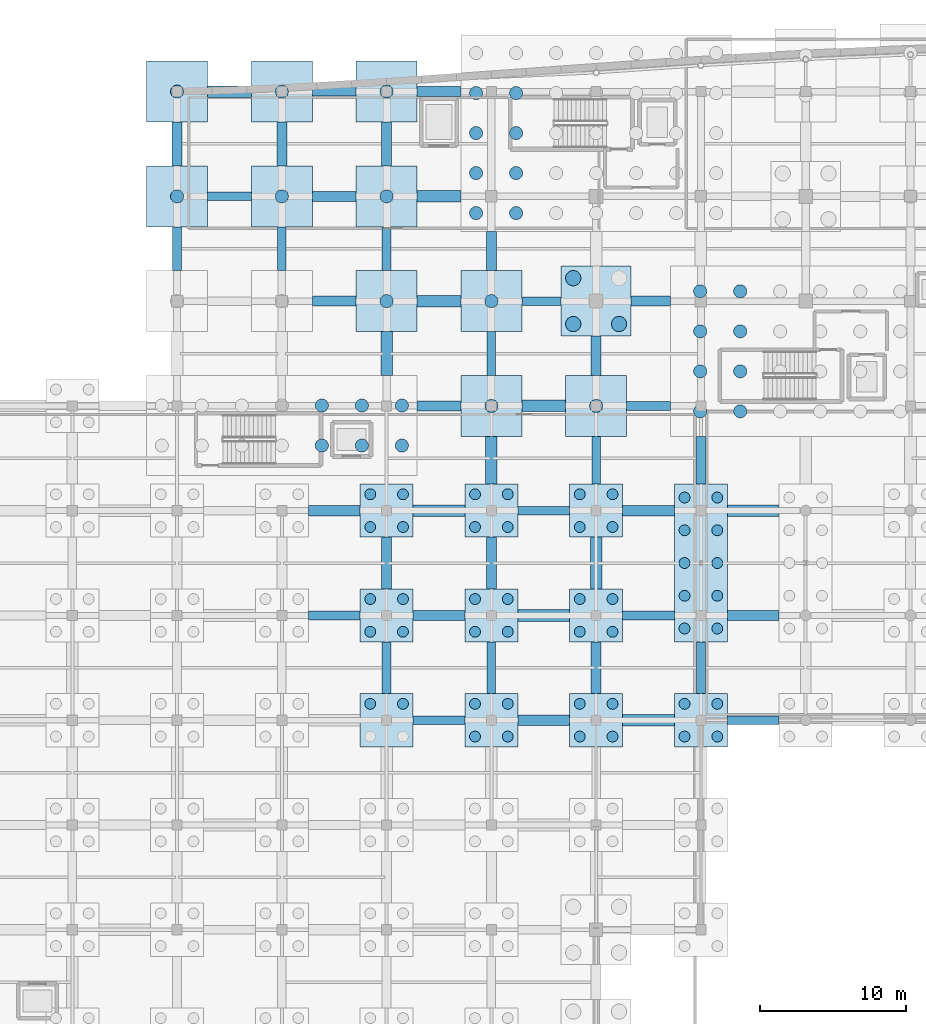
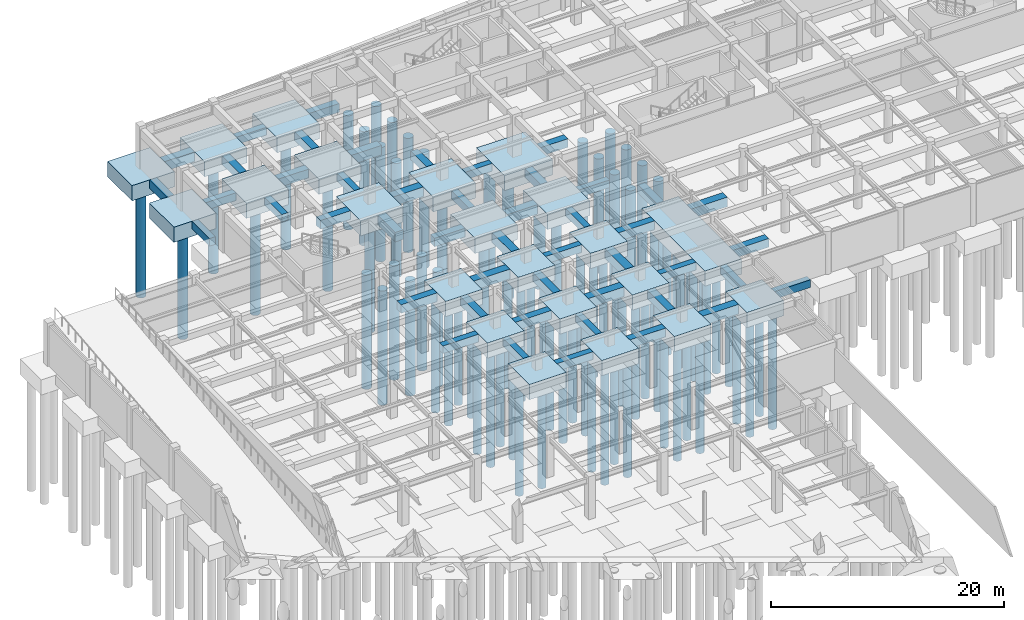
# One storey, part 5 of 48: 83 piles, 69 footings.
"""IFC4 building model written with IfcOpenShell, lengths in metres."""

from ifc_helpers import new_model, si_unit, direction, frame, origin, origin_2d, place, context, subcontext, project, spatial, rectangle, circle, extrude, material, material_profile, profile_set, type_object, element, save


model = new_model("IFC4")

# Units and contexts
model_context = context("Model", 3, precision=1e-05, world=origin(), true_north=direction((0.0, 1.0)))
body_context = subcontext(model_context, "Body", "Model", "MODEL_VIEW")
ifc_project = project(units=[si_unit("LENGTHUNIT", "METRE"), si_unit("AREAUNIT", "SQUARE_METRE"), si_unit("VOLUMEUNIT", "CUBIC_METRE"), si_unit("PLANEANGLEUNIT", "RADIAN"), si_unit("MASSUNIT", "GRAM", prefix="KILO")], contexts=[model_context])

# Site, building, storey
site_placement = place(None, origin())
site = spatial("IfcSite", under=ifc_project, at=site_placement, CompositionType="ELEMENT")
building_placement = place(site_placement, origin())
building = spatial("IfcBuilding", under=site, at=building_placement, Name="Carrowvane Square Congress Hotel", CompositionType="ELEMENT")
storey_placement = place(building_placement, frame((0.0, 0.0, -4.5)))
storey = spatial("IfcBuildingStorey", under=building, at=storey_placement, Name="B01", CompositionType="ELEMENT", Elevation=-4.5)

# Footings
ifc_material_1 = material(Name="Concrete C35/45", Category="concrete")
ifc_material_profile_1 = material_profile(ifc_material_1, rectangle(XDim=0.60009765625, YDim=0.800048828125, at=origin_2d()), Name="RC 600x800")
ifc_profile_set_1 = profile_set([ifc_material_profile_1], Name="Concrete C35/45")
footing_type_1 = type_object("IfcFootingType", Name="FTG-BM-600x800", PredefinedType="FOOTING_BEAM", material=ifc_profile_set_1)
for number, where, z_axis, x_axis, name in (
    (1, (33.199951171875, 101.10009765625, -0.39990234375), (0.0, 1.0, 0.0), (-1.0, 0.0, 0.0), "Ground tie beam 49"),
    (2, (40.39990234375, 101.10009765625, -0.39990234375), (0.0, 1.0, 0.0), (-1.0, 0.0, 0.0), "Ground tie beam 63"),
):
    element("IfcFooting", number, at=place(storey_placement, frame(where, z_axis=z_axis, x_axis=x_axis)), inside=storey, type_object=footing_type_1, Name=name, PredefinedType="FOOTING_BEAM", context=body_context, shape_type="SweptSolid", body=[
        extrude(rectangle(XDim=0.60009765625, YDim=0.800048828125, at=origin_2d()), origin(), (0.0, 0.0, 1.0), 3.0),
    ])
footing_1_placement = place(storey_placement, frame((47.60009765625, 72.02490234375, -0.39990234375), z_axis=(0.0, 1.0, 0.0), x_axis=(-1.0, 0.0, 0.0)))
element("IfcFooting", 3, at=footing_1_placement, inside=storey, type_object=footing_type_1, Name="Ground tie beam 74", PredefinedType="FOOTING_BEAM", context=body_context, shape_type="SweptSolid", body=[
    extrude(rectangle(XDim=0.60009765625, YDim=0.800048828125, at=origin_2d()), origin(), (0.0, 0.0, 1.0), 3.550048828125),
])
footing_2_placement = place(storey_placement, frame((47.60009765625, 101.10009765625, -0.39990234375), z_axis=(0.0, 1.0, 0.0), x_axis=(-1.0, 0.0, 0.0)))
element("IfcFooting", 4, at=footing_2_placement, inside=storey, type_object=footing_type_1, Name="Ground tie beam 77", PredefinedType="FOOTING_BEAM", context=body_context, shape_type="SweptSolid", body=[
    extrude(rectangle(XDim=0.60009765625, YDim=0.800048828125, at=origin_2d()), origin(), (0.0, 0.0, 1.0), 3.0),
])
footing_3_placement = place(storey_placement, frame((54.800048828125, 72.02490234375, -0.39990234375), z_axis=(0.0, 1.0, 0.0), x_axis=(-1.0, 0.0, 0.0)))
element("IfcFooting", 5, at=footing_3_placement, inside=storey, type_object=footing_type_1, Name="Ground tie beam 88", PredefinedType="FOOTING_BEAM", context=body_context, shape_type="SweptSolid", body=[
    extrude(rectangle(XDim=0.60009765625, YDim=0.800048828125, at=origin_2d()), origin(), (0.0, 0.0, 1.0), 3.550048828125),
])
footing_4_placement = place(storey_placement, frame((54.800048828125, 93.89990234375, -0.39990234375), z_axis=(0.0, 1.0, 0.0), x_axis=(-1.0, 0.0, 0.0)))
element("IfcFooting", 6, at=footing_4_placement, inside=storey, type_object=footing_type_1, Name="Ground tie beam 91", PredefinedType="FOOTING_BEAM", context=body_context, shape_type="SweptSolid", body=[
    extrude(rectangle(XDim=0.60009765625, YDim=0.800048828125, at=origin_2d()), origin(), (0.0, 0.0, 1.0), 3.0),
])
footing_5_placement = place(storey_placement, frame((62.0, 86.425048828125, -0.39990234375), z_axis=(0.0, 1.0, 0.0), x_axis=(-1.0, 0.0, 0.0)))
element("IfcFooting", 7, at=footing_5_placement, inside=storey, type_object=footing_type_1, Name="Ground tie beam 99", PredefinedType="FOOTING_BEAM", context=body_context, shape_type="SweptSolid", body=[
    extrude(rectangle(XDim=0.60009765625, YDim=0.800048828125, at=origin_2d()), origin(), (0.0, 0.0, 1.0), 3.27490234375),
])
for number, where, z_axis, x_axis, name in (
    (8, (69.199951171875, 72.02490234375, -0.39990234375), (0.0, 1.0, 0.0), (-1.0, 0.0, 0.0), "Ground tie beam 104"),
    (9, (49.425048828125, 70.199951171875, -0.39990234375), (1.0, 0.0, 0.0), (0.0, 1.0, 0.0), "Ground tie beam 373"),
    (10, (71.02490234375, 70.199951171875, -0.39990234375), (1.0, 0.0, 0.0), (0.0, 1.0, 0.0), "Ground tie beam 376"),
):
    element("IfcFooting", number, at=place(storey_placement, frame(where, z_axis=z_axis, x_axis=x_axis)), inside=storey, type_object=footing_type_1, Name=name, PredefinedType="FOOTING_BEAM", context=body_context, shape_type="SweptSolid", body=[
        extrude(rectangle(XDim=0.60009765625, YDim=0.800048828125, at=origin_2d()), origin(), (0.0, 0.0, 1.0), 3.550048828125),
    ])
footing_6_placement = place(storey_placement, frame((42.22509765625, 77.39990234375, -0.39990234375), z_axis=(1.0, 0.0, 0.0), x_axis=(0.0, 1.0, 0.0)))
element("IfcFooting", 11, at=footing_6_placement, inside=storey, type_object=footing_type_1, Name="Ground tie beam 396", PredefinedType="FOOTING_BEAM", context=body_context, shape_type="SweptSolid", body=[
    extrude(rectangle(XDim=0.60009765625, YDim=0.800048828125, at=origin_2d()), origin(), (0.0, 0.0, 1.0), 3.5498046875),
])
for number, where, z_axis, x_axis, name in (
    (12, (63.824951171875, 77.39990234375, -0.39990234375), (1.0, 0.0, 0.0), (0.0, 1.0, 0.0), "Ground tie beam 399"),
    (13, (56.625, 84.60009765625, -0.39990234375), (1.0, 0.0, 0.0), (0.0, 1.0, 0.0), "Ground tie beam 422"),
):
    element("IfcFooting", number, at=place(storey_placement, frame(where, z_axis=z_axis, x_axis=x_axis)), inside=storey, type_object=footing_type_1, Name=name, PredefinedType="FOOTING_BEAM", context=body_context, shape_type="SweptSolid", body=[
        extrude(rectangle(XDim=0.60009765625, YDim=0.800048828125, at=origin_2d()), origin(), (0.0, 0.0, 1.0), 3.550048828125),
    ])
footing_7_placement = place(storey_placement, frame((64.10009765625, 91.800048828125, -0.39990234375), z_axis=(1.0, 0.0, 0.0), x_axis=(0.0, 1.0, 0.0)))
element("IfcFooting", 14, at=footing_7_placement, inside=storey, type_object=footing_type_1, Name="Ground tie beam 445", PredefinedType="FOOTING_BEAM", context=body_context, shape_type="SweptSolid", body=[
    extrude(rectangle(XDim=0.60009765625, YDim=0.800048828125, at=origin_2d()), origin(), (0.0, 0.0, 1.0), 3.0),
])
footing_8_placement = place(storey_placement, frame((56.89990234375, 99.0, -0.39990234375), z_axis=(1.0, 0.0, 0.0), x_axis=(0.0, 1.0, 0.0)))
element("IfcFooting", 15, at=footing_8_placement, inside=storey, type_object=footing_type_1, Name="Ground tie beam 456", PredefinedType="FOOTING_BEAM", context=body_context, shape_type="SweptSolid", body=[
    extrude(rectangle(XDim=0.60009765625, YDim=0.800048828125, at=origin_2d()), origin(), (0.0, 0.0, 1.0), 2.7001953125),
])
for number, where, z_axis, x_axis, name in (
    (16, (35.300048828125, 106.199951171875, -0.39990234375), (1.0, 0.0, 0.0), (0.0, 1.0, 0.0), "Ground tie beam 464"),
    (17, (42.5, 113.39990234375, -0.39990234375), (1.0, 0.0, 0.0), (0.0, 1.0, 0.0), "Ground tie beam 481"),
):
    element("IfcFooting", number, at=place(storey_placement, frame(where, z_axis=z_axis, x_axis=x_axis)), inside=storey, type_object=footing_type_1, Name=name, PredefinedType="FOOTING_BEAM", context=body_context, shape_type="SweptSolid", body=[
        extrude(rectangle(XDim=0.60009765625, YDim=0.800048828125, at=origin_2d()), origin(), (0.0, 0.0, 1.0), 3.0),
    ])
ifc_material_2 = material(Name="Concrete C35/45", Category="concrete")
ifc_material_profile_2 = material_profile(ifc_material_2, rectangle(XDim=0.699951171875, YDim=0.89990234375, at=origin_2d()), Name="RC 700x900")
ifc_profile_set_2 = profile_set([ifc_material_profile_2], Name="Concrete C35/45")
footing_type_2 = type_object("IfcFootingType", Name="FTG-BM-700x900", PredefinedType="FOOTING_BEAM", material=ifc_profile_set_2)
for number, where, z_axis, x_axis, name in (
    (18, (33.199951171875, 108.300048828125, -0.449951171875), (0.0, 1.0, 0.0), (-1.0, 0.0, 0.0), "Ground tie beam 50"),
    (19, (40.39990234375, 108.300048828125, -0.449951171875), (0.0, 1.0, 0.0), (-1.0, 0.0, 0.0), "Ground tie beam 64"),
):
    element("IfcFooting", number, at=place(storey_placement, frame(where, z_axis=z_axis, x_axis=x_axis)), inside=storey, type_object=footing_type_2, Name=name, PredefinedType="FOOTING_BEAM", context=body_context, shape_type="SweptSolid", body=[
        extrude(rectangle(XDim=0.699951171875, YDim=0.89990234375, at=origin_2d()), origin(), (0.0, 0.0, 1.0), 3.0),
    ])
footing_9_placement = place(storey_placement, frame((47.60009765625, 79.22509765625, -0.449951171875), z_axis=(0.0, 1.0, 0.0), x_axis=(-1.0, 0.0, 0.0)))
element("IfcFooting", 20, at=footing_9_placement, inside=storey, type_object=footing_type_2, Name="Ground tie beam 75", PredefinedType="FOOTING_BEAM", context=body_context, shape_type="SweptSolid", body=[
    extrude(rectangle(XDim=0.699951171875, YDim=0.89990234375, at=origin_2d()), origin(), (0.0, 0.0, 1.0), 3.5498046875),
])
footing_10_placement = place(storey_placement, frame((47.60009765625, 108.300048828125, -0.449951171875), z_axis=(0.0, 1.0, 0.0), x_axis=(-1.0, 0.0, 0.0)))
element("IfcFooting", 21, at=footing_10_placement, inside=storey, type_object=footing_type_2, Name="Ground tie beam 78", PredefinedType="FOOTING_BEAM", context=body_context, shape_type="SweptSolid", body=[
    extrude(rectangle(XDim=0.699951171875, YDim=0.89990234375, at=origin_2d()), origin(), (0.0, 0.0, 1.0), 3.0),
])
footing_11_placement = place(storey_placement, frame((54.800048828125, 79.22509765625, -0.449951171875), z_axis=(0.0, 1.0, 0.0), x_axis=(-1.0, 0.0, 0.0)))
element("IfcFooting", 22, at=footing_11_placement, inside=storey, type_object=footing_type_2, Name="Ground tie beam 89", PredefinedType="FOOTING_BEAM", context=body_context, shape_type="SweptSolid", body=[
    extrude(rectangle(XDim=0.699951171875, YDim=0.89990234375, at=origin_2d()), origin(), (0.0, 0.0, 1.0), 3.5498046875),
])
footing_12_placement = place(storey_placement, frame((54.800048828125, 101.10009765625, -0.449951171875), z_axis=(0.0, 1.0, 0.0), x_axis=(-1.0, 0.0, 0.0)))
element("IfcFooting", 23, at=footing_12_placement, inside=storey, type_object=footing_type_2, Name="Ground tie beam 92", PredefinedType="FOOTING_BEAM", context=body_context, shape_type="SweptSolid", body=[
    extrude(rectangle(XDim=0.699951171875, YDim=0.89990234375, at=origin_2d()), origin(), (0.0, 0.0, 1.0), 2.699951171875),
])
footing_13_placement = place(storey_placement, frame((62.0, 72.02490234375, -0.449951171875), z_axis=(0.0, 1.0, 0.0), x_axis=(-1.0, 0.0, 0.0)))
element("IfcFooting", 24, at=footing_13_placement, inside=storey, type_object=footing_type_2, Name="Ground tie beam 97", PredefinedType="FOOTING_BEAM", context=body_context, shape_type="SweptSolid", body=[
    extrude(rectangle(XDim=0.699951171875, YDim=0.89990234375, at=origin_2d()), origin(), (0.0, 0.0, 1.0), 3.550048828125),
])
footing_14_placement = place(storey_placement, frame((62.0, 93.89990234375, -0.449951171875), z_axis=(0.0, 1.0, 0.0), x_axis=(-1.0, 0.0, 0.0)))
element("IfcFooting", 25, at=footing_14_placement, inside=storey, type_object=footing_type_2, Name="Ground tie beam 100", PredefinedType="FOOTING_BEAM", context=body_context, shape_type="SweptSolid", body=[
    extrude(rectangle(XDim=0.699951171875, YDim=0.89990234375, at=origin_2d()), origin(), (0.0, 0.0, 1.0), 2.7001953125),
])
footing_15_placement = place(storey_placement, frame((69.199951171875, 86.425048828125, -0.449951171875), z_axis=(0.0, 1.0, 0.0), x_axis=(-1.0, 0.0, 0.0)))
element("IfcFooting", 26, at=footing_15_placement, inside=storey, type_object=footing_type_2, Name="Ground tie beam 105", PredefinedType="FOOTING_BEAM", context=body_context, shape_type="SweptSolid", body=[
    extrude(rectangle(XDim=0.699951171875, YDim=0.89990234375, at=origin_2d()), origin(), (0.0, 0.0, 1.0), 3.27490234375),
])
for number, where, z_axis, x_axis, name in (
    (27, (56.625, 70.199951171875, -0.449951171875), (1.0, 0.0, 0.0), (0.0, 1.0, 0.0), "Ground tie beam 374"),
    (28, (49.425048828125, 77.39990234375, -0.449951171875), (1.0, 0.0, 0.0), (0.0, 1.0, 0.0), "Ground tie beam 397"),
    (29, (71.02490234375, 77.39990234375, -0.449951171875), (1.0, 0.0, 0.0), (0.0, 1.0, 0.0), "Ground tie beam 400"),
):
    element("IfcFooting", number, at=place(storey_placement, frame(where, z_axis=z_axis, x_axis=x_axis)), inside=storey, type_object=footing_type_2, Name=name, PredefinedType="FOOTING_BEAM", context=body_context, shape_type="SweptSolid", body=[
        extrude(rectangle(XDim=0.699951171875, YDim=0.89990234375, at=origin_2d()), origin(), (0.0, 0.0, 1.0), 3.550048828125),
    ])
footing_16_placement = place(storey_placement, frame((42.22509765625, 84.60009765625, -0.449951171875), z_axis=(1.0, 0.0, 0.0), x_axis=(0.0, 1.0, 0.0)))
element("IfcFooting", 30, at=footing_16_placement, inside=storey, type_object=footing_type_2, Name="Ground tie beam 420", PredefinedType="FOOTING_BEAM", context=body_context, shape_type="SweptSolid", body=[
    extrude(rectangle(XDim=0.699951171875, YDim=0.89990234375, at=origin_2d()), origin(), (0.0, 0.0, 1.0), 3.5498046875),
])
footing_17_placement = place(storey_placement, frame((63.824951171875, 84.60009765625, -0.449951171875), z_axis=(1.0, 0.0, 0.0), x_axis=(0.0, 1.0, 0.0)))
element("IfcFooting", 31, at=footing_17_placement, inside=storey, type_object=footing_type_2, Name="Ground tie beam 423", PredefinedType="FOOTING_BEAM", context=body_context, shape_type="SweptSolid", body=[
    extrude(rectangle(XDim=0.699951171875, YDim=0.89990234375, at=origin_2d()), origin(), (0.0, 0.0, 1.0), 3.550048828125),
])
for number, where, z_axis, x_axis, name in (
    (32, (49.699951171875, 91.800048828125, -0.449951171875), (1.0, 0.0, 0.0), (0.0, 1.0, 0.0), "Ground tie beam 443"),
    (33, (42.5, 99.0, -0.449951171875), (1.0, 0.0, 0.0), (0.0, 1.0, 0.0), "Ground tie beam 454"),
):
    element("IfcFooting", number, at=place(storey_placement, frame(where, z_axis=z_axis, x_axis=x_axis)), inside=storey, type_object=footing_type_2, Name=name, PredefinedType="FOOTING_BEAM", context=body_context, shape_type="SweptSolid", body=[
        extrude(rectangle(XDim=0.699951171875, YDim=0.89990234375, at=origin_2d()), origin(), (0.0, 0.0, 1.0), 3.0),
    ])
footing_18_placement = place(storey_placement, frame((64.39990234375, 99.0, -0.449951171875), z_axis=(1.0, 0.0, 0.0), x_axis=(0.0, 1.0, 0.0)))
element("IfcFooting", 34, at=footing_18_placement, inside=storey, type_object=footing_type_2, Name="Ground tie beam 457", PredefinedType="FOOTING_BEAM", context=body_context, shape_type="SweptSolid", body=[
    extrude(rectangle(XDim=0.699951171875, YDim=0.89990234375, at=origin_2d()), origin(), (0.0, 0.0, 1.0), 2.7001953125),
])
for number, where, z_axis, x_axis, name in (
    (35, (42.5, 106.199951171875, -0.449951171875), (1.0, 0.0, 0.0), (0.0, 1.0, 0.0), "Ground tie beam 465"),
    (36, (49.699951171875, 113.39990234375, -0.449951171875), (1.0, 0.0, 0.0), (0.0, 1.0, 0.0), "Ground tie beam 482"),
):
    element("IfcFooting", number, at=place(storey_placement, frame(where, z_axis=z_axis, x_axis=x_axis)), inside=storey, type_object=footing_type_2, Name=name, PredefinedType="FOOTING_BEAM", context=body_context, shape_type="SweptSolid", body=[
        extrude(rectangle(XDim=0.699951171875, YDim=0.89990234375, at=origin_2d()), origin(), (0.0, 0.0, 1.0), 3.0),
    ])
ifc_material_3 = material(Name="Concrete C35/45", Category="concrete")
ifc_material_profile_3 = material_profile(ifc_material_3, rectangle(XDim=0.800048828125, YDim=1.0, at=origin_2d()), Name="RC 800x1000")
ifc_profile_set_3 = profile_set([ifc_material_profile_3], Name="Concrete C35/45")
footing_type_3 = type_object("IfcFootingType", Name="FTG-BM-800x1000", PredefinedType="FOOTING_BEAM", material=ifc_profile_set_3)
footing_19_placement = place(storey_placement, frame((47.60009765625, 93.89990234375, -0.5), z_axis=(0.0, 1.0, 0.0), x_axis=(-1.0, 0.0, 0.0)))
element("IfcFooting", 37, at=footing_19_placement, inside=storey, type_object=footing_type_3, Name="Ground tie beam 76", PredefinedType="FOOTING_BEAM", context=body_context, shape_type="SweptSolid", body=[
    extrude(rectangle(XDim=0.800048828125, YDim=1.0, at=origin_2d()), origin(), (0.0, 0.0, 1.0), 3.0),
])
footing_20_placement = place(storey_placement, frame((54.800048828125, 86.425048828125, -0.5), z_axis=(0.0, 1.0, 0.0), x_axis=(-1.0, 0.0, 0.0)))
element("IfcFooting", 38, at=footing_20_placement, inside=storey, type_object=footing_type_3, Name="Ground tie beam 90", PredefinedType="FOOTING_BEAM", context=body_context, shape_type="SweptSolid", body=[
    extrude(rectangle(XDim=0.800048828125, YDim=1.0, at=origin_2d()), origin(), (0.0, 0.0, 1.0), 3.27490234375),
])
footing_21_placement = place(storey_placement, frame((62.0, 79.22509765625, -0.5), z_axis=(0.0, 1.0, 0.0), x_axis=(-1.0, 0.0, 0.0)))
element("IfcFooting", 39, at=footing_21_placement, inside=storey, type_object=footing_type_3, Name="Ground tie beam 98", PredefinedType="FOOTING_BEAM", context=body_context, shape_type="SweptSolid", body=[
    extrude(rectangle(XDim=0.800048828125, YDim=1.0, at=origin_2d()), origin(), (0.0, 0.0, 1.0), 3.5498046875),
])
for number, where, z_axis, x_axis, name in (
    (40, (63.824951171875, 70.199951171875, -0.5), (1.0, 0.0, 0.0), (0.0, 1.0, 0.0), "Ground tie beam 375"),
    (41, (56.625, 77.39990234375, -0.5), (1.0, 0.0, 0.0), (0.0, 1.0, 0.0), "Ground tie beam 398"),
    (42, (49.425048828125, 84.60009765625, -0.5), (1.0, 0.0, 0.0), (0.0, 1.0, 0.0), "Ground tie beam 421"),
    (43, (71.02490234375, 84.60009765625, -0.5), (1.0, 0.0, 0.0), (0.0, 1.0, 0.0), "Ground tie beam 424"),
):
    element("IfcFooting", number, at=place(storey_placement, frame(where, z_axis=z_axis, x_axis=x_axis)), inside=storey, type_object=footing_type_3, Name=name, PredefinedType="FOOTING_BEAM", context=body_context, shape_type="SweptSolid", body=[
        extrude(rectangle(XDim=0.800048828125, YDim=1.0, at=origin_2d()), origin(), (0.0, 0.0, 1.0), 3.550048828125),
    ])
for number, where, z_axis, x_axis, name in (
    (44, (56.89990234375, 91.800048828125, -0.5), (1.0, 0.0, 0.0), (0.0, 1.0, 0.0), "Ground tie beam 444"),
    (45, (49.699951171875, 99.0, -0.5), (1.0, 0.0, 0.0), (0.0, 1.0, 0.0), "Ground tie beam 455"),
    (46, (49.699951171875, 106.199951171875, -0.5), (1.0, 0.0, 0.0), (0.0, 1.0, 0.0), "Ground tie beam 466"),
    (47, (35.300048828125, 113.39990234375, -0.5), (1.0, 0.0, 0.0), (0.0, 1.0, 0.0), "Ground tie beam 480"),
):
    element("IfcFooting", number, at=place(storey_placement, frame(where, z_axis=z_axis, x_axis=x_axis)), inside=storey, type_object=footing_type_3, Name=name, PredefinedType="FOOTING_BEAM", context=body_context, shape_type="SweptSolid", body=[
        extrude(rectangle(XDim=0.800048828125, YDim=1.0, at=origin_2d()), origin(), (0.0, 0.0, 1.0), 3.0),
    ])
ifc_material_4 = material(Name="Concrete C35/45", Category="concrete")
footing_type_4 = type_object("IfcFootingType", Name="FTG-PC-01", PredefinedType="PILE_CAP", material=ifc_material_4)
footing_22_placement = place(storey_placement, frame((62.0, 99.0, -1.60009765625), z_axis=(0.0, 0.0, 1.0), x_axis=(1.0, 0.0, 0.0)))
element("IfcFooting", 48, at=footing_22_placement, inside=storey, type_object=footing_type_4, Name="B01 PC-1 230", PredefinedType="PILE_CAP", context=body_context, shape_type="SweptSolid", body=[
    extrude(rectangle(XDim=4.800048828125, YDim=4.800048828125, at=origin_2d()), origin(), (0.0, 0.0, 1.0), 1.60009765625),
])
ifc_material_5 = material(Name="Concrete C35/45", Category="concrete")
footing_type_5 = type_object("IfcFootingType", Name="FTG-PC-02", PredefinedType="PILE_CAP", material=ifc_material_5)
for number, where, z_axis, x_axis, name in (
    (49, (47.60009765625, 70.199951171875, -1.60009765625), (0.0, 0.0, 1.0), (1.0, 0.0, 0.0), "B01 PC-2 149"),
    (50, (54.800048828125, 70.199951171875, -1.60009765625), (0.0, 0.0, 1.0), (1.0, 0.0, 0.0), "B01 PC-2 150"),
    (51, (62.0, 70.199951171875, -1.60009765625), (0.0, 0.0, 1.0), (1.0, 0.0, 0.0), "B01 PC-2 151"),
    (52, (69.199951171875, 70.199951171875, -1.60009765625), (0.0, 0.0, 1.0), (1.0, 0.0, 0.0), "B01 PC-2 152"),
    (53, (47.60009765625, 77.39990234375, -1.60009765625), (0.0, 0.0, 1.0), (1.0, 0.0, 0.0), "B01 PC-2 174"),
    (54, (54.800048828125, 77.39990234375, -1.60009765625), (0.0, 0.0, 1.0), (1.0, 0.0, 0.0), "B01 PC-2 175"),
    (55, (62.0, 77.39990234375, -1.60009765625), (0.0, 0.0, 1.0), (1.0, 0.0, 0.0), "B01 PC-2 176"),
    (56, (47.60009765625, 84.60009765625, -1.60009765625), (0.0, 0.0, 1.0), (1.0, 0.0, 0.0), "B01 PC-2 199"),
    (57, (54.800048828125, 84.60009765625, -1.60009765625), (0.0, 0.0, 1.0), (1.0, 0.0, 0.0), "B01 PC-2 200"),
    (58, (62.0, 84.60009765625, -1.60009765625), (0.0, 0.0, 1.0), (1.0, 0.0, 0.0), "B01 PC-2 201"),
):
    element("IfcFooting", number, at=place(storey_placement, frame(where, z_axis=z_axis, x_axis=x_axis)), inside=storey, type_object=footing_type_5, Name=name, PredefinedType="PILE_CAP", context=body_context, shape_type="SweptSolid", body=[
        extrude(rectangle(XDim=3.64990234375, YDim=3.64990234375, at=origin_2d()), origin(), (0.0, 0.0, 1.0), 1.60009765625),
    ])
ifc_material_6 = material(Name="Concrete C35/45", Category="concrete")
footing_type_6 = type_object("IfcFootingType", Name="FTG-PC-03", PredefinedType="PILE_CAP", material=ifc_material_6)
footing_23_placement = place(storey_placement, frame((69.199951171875, 81.0, -1.60009765625), z_axis=(0.0, 0.0, 1.0), x_axis=(1.0, 0.0, 0.0)))
element("IfcFooting", 59, at=footing_23_placement, inside=storey, type_object=footing_type_6, Name="B01 PC-3 177", PredefinedType="PILE_CAP", context=body_context, shape_type="SweptSolid", body=[
    extrude(rectangle(XDim=3.64990234375, YDim=10.85009765625, at=origin_2d()), origin(), (0.0, 0.0, 1.0), 1.60009765625),
])
ifc_material_7 = material(Name="Concrete C35/45", Category="concrete")
footing_type_7 = type_object("IfcFootingType", Name="FTG-PC-04", PredefinedType="PILE_CAP", material=ifc_material_7)
for number, where, z_axis, x_axis, name in (
    (60, (54.800048828125, 91.800048828125, -1.60009765625), (0.0, 0.0, 1.0), (1.0, 0.0, 0.0), "B01 PC-4 217"),
    (61, (62.0, 91.800048828125, -1.60009765625), (0.0, 0.0, 1.0), (1.0, 0.0, 0.0), "B01 PC-4 218"),
    (62, (47.60009765625, 99.0, -1.60009765625), (0.0, 0.0, 1.0), (1.0, 0.0, 0.0), "B01 PC-4 234"),
    (63, (54.800048828125, 99.0, -1.60009765625), (0.0, 0.0, 1.0), (1.0, 0.0, 0.0), "B01 PC-4 235"),
    (64, (33.199951171875, 106.199951171875, -1.60009765625), (0.0, 0.0, 1.0), (1.0, 0.0, 0.0), "B01 PC-4 247"),
    (65, (40.39990234375, 106.199951171875, -1.60009765625), (0.0, 0.0, 1.0), (1.0, 0.0, 0.0), "B01 PC-4 248"),
    (66, (47.60009765625, 106.199951171875, -1.60009765625), (0.0, 0.0, 1.0), (1.0, 0.0, 0.0), "B01 PC-4 249"),
    (67, (33.199951171875, 113.39990234375, -1.60009765625), (0.0, 0.0, 1.0), (1.0, 0.0, 0.0), "B01 PC-4 258"),
    (68, (40.39990234375, 113.39990234375, -1.60009765625), (0.0, 0.0, 1.0), (1.0, 0.0, 0.0), "B01 PC-4 259"),
    (69, (47.60009765625, 113.39990234375, -1.60009765625), (0.0, 0.0, 1.0), (1.0, 0.0, 0.0), "B01 PC-4 260"),
):
    element("IfcFooting", number, at=place(storey_placement, frame(where, z_axis=z_axis, x_axis=x_axis)), inside=storey, type_object=footing_type_7, Name=name, PredefinedType="PILE_CAP", context=body_context, shape_type="SweptSolid", body=[
        extrude(rectangle(XDim=4.199951171875, YDim=4.199951171875, at=origin_2d()), origin(), (0.0, 0.0, 1.0), 1.60009765625),
    ])

# Piles
ifc_material_8 = material(Name="Concrete C35/45", Category="concrete")
ifc_material_profile_4 = material_profile(ifc_material_8, circle(Radius=0.52490234375, at=origin_2d()), Name="PILE D1050")
ifc_profile_set_4 = profile_set([ifc_material_profile_4], Name="Concrete C35/45")
pile_type_1 = type_object("IfcPileType", Name="PILE-B-1050", PredefinedType="BORED", material=ifc_profile_set_4)
for number, where, z_axis, x_axis, name in (
    (70, (60.425048828125, 97.425048828125, -1.5), (0.0, 0.0, -1.0), (1.0, 0.0, 0.0), "Bored pile P-3-1050"),
    (71, (60.425048828125, 100.574951171875, -1.5), (0.0, 0.0, -1.0), (1.0, 0.0, 0.0), "Bored pile P-3-1051"),
    (72, (63.574951171875, 97.425048828125, -1.5), (0.0, 0.0, -1.0), (1.0, 0.0, 0.0), "Bored pile P-3-1052"),
):
    element("IfcPile", number, at=place(storey_placement, frame(where, z_axis=z_axis, x_axis=x_axis)), inside=storey, type_object=pile_type_1, Name=name, PredefinedType="BORED", context=body_context, shape_type="SweptSolid", body=[
        extrude(circle(Radius=0.52490234375, at=origin_2d()), origin(), (0.0, 0.0, 1.0), 12.0),
    ])
ifc_material_9 = material(Name="Concrete C35/45", Category="concrete")
ifc_material_profile_5 = material_profile(ifc_material_9, circle(Radius=0.375, at=origin_2d()), Name="PILE D750")
ifc_profile_set_5 = profile_set([ifc_material_profile_5], Name="Concrete C35/45")
pile_type_2 = type_object("IfcPileType", Name="PILE-B-750", PredefinedType="BORED", material=ifc_profile_set_5)
for number, where, z_axis, x_axis, name in (
    (73, (46.47509765625, 71.324951171875, -1.5), (0.0, 0.0, -1.0), (1.0, 0.0, 0.0), "Bored pile P-1-0630"),
    (74, (48.72509765625, 71.324951171875, -1.5), (0.0, 0.0, -1.0), (1.0, 0.0, 0.0), "Bored pile P-1-0632"),
    (75, (53.675048828125, 69.074951171875, -1.5), (0.0, 0.0, -1.0), (1.0, 0.0, 0.0), "Bored pile P-1-0633"),
    (76, (53.675048828125, 71.324951171875, -1.5), (0.0, 0.0, -1.0), (1.0, 0.0, 0.0), "Bored pile P-1-0634"),
    (77, (55.925048828125, 69.074951171875, -1.5), (0.0, 0.0, -1.0), (1.0, 0.0, 0.0), "Bored pile P-1-0635"),
    (78, (55.925048828125, 71.324951171875, -1.5), (0.0, 0.0, -1.0), (1.0, 0.0, 0.0), "Bored pile P-1-0636"),
    (79, (60.875, 69.074951171875, -1.5), (0.0, 0.0, -1.0), (1.0, 0.0, 0.0), "Bored pile P-1-0637"),
    (80, (60.875, 71.324951171875, -1.5), (0.0, 0.0, -1.0), (1.0, 0.0, 0.0), "Bored pile P-1-0638"),
    (81, (63.125, 69.074951171875, -1.5), (0.0, 0.0, -1.0), (1.0, 0.0, 0.0), "Bored pile P-1-0639"),
    (82, (63.125, 71.324951171875, -1.5), (0.0, 0.0, -1.0), (1.0, 0.0, 0.0), "Bored pile P-1-0640"),
    (83, (68.074951171875, 69.074951171875, -1.5), (0.0, 0.0, -1.0), (1.0, 0.0, 0.0), "Bored pile P-1-0641"),
    (84, (68.074951171875, 71.324951171875, -1.5), (0.0, 0.0, -1.0), (1.0, 0.0, 0.0), "Bored pile P-1-0642"),
    (85, (70.324951171875, 69.074951171875, -1.5), (0.0, 0.0, -1.0), (1.0, 0.0, 0.0), "Bored pile P-1-0643"),
    (86, (70.324951171875, 71.324951171875, -1.5), (0.0, 0.0, -1.0), (1.0, 0.0, 0.0), "Bored pile P-1-0644"),
    (87, (46.47509765625, 76.27490234375, -1.5), (0.0, 0.0, -1.0), (1.0, 0.0, 0.0), "Bored pile P-1-0729"),
    (88, (46.47509765625, 78.52490234375, -1.5), (0.0, 0.0, -1.0), (1.0, 0.0, 0.0), "Bored pile P-1-0730"),
    (89, (48.72509765625, 76.27490234375, -1.5), (0.0, 0.0, -1.0), (1.0, 0.0, 0.0), "Bored pile P-1-0731"),
    (90, (48.72509765625, 78.52490234375, -1.5), (0.0, 0.0, -1.0), (1.0, 0.0, 0.0), "Bored pile P-1-0732"),
    (91, (53.675048828125, 76.27490234375, -1.5), (0.0, 0.0, -1.0), (1.0, 0.0, 0.0), "Bored pile P-1-0733"),
    (92, (53.675048828125, 78.52490234375, -1.5), (0.0, 0.0, -1.0), (1.0, 0.0, 0.0), "Bored pile P-1-0734"),
    (93, (55.925048828125, 76.27490234375, -1.5), (0.0, 0.0, -1.0), (1.0, 0.0, 0.0), "Bored pile P-1-0735"),
    (94, (55.925048828125, 78.52490234375, -1.5), (0.0, 0.0, -1.0), (1.0, 0.0, 0.0), "Bored pile P-1-0736"),
    (95, (60.875, 76.27490234375, -1.5), (0.0, 0.0, -1.0), (1.0, 0.0, 0.0), "Bored pile P-1-0737"),
    (96, (60.875, 78.52490234375, -1.5), (0.0, 0.0, -1.0), (1.0, 0.0, 0.0), "Bored pile P-1-0738"),
    (97, (63.125, 76.27490234375, -1.5), (0.0, 0.0, -1.0), (1.0, 0.0, 0.0), "Bored pile P-1-0739"),
    (98, (63.125, 78.52490234375, -1.5), (0.0, 0.0, -1.0), (1.0, 0.0, 0.0), "Bored pile P-1-0740"),
    (99, (68.074951171875, 76.5, -1.5), (0.0, 0.0, -1.0), (1.0, 0.0, 0.0), "Bored pile P-1-0741"),
    (100, (68.074951171875, 78.75, -1.5), (0.0, 0.0, -1.0), (1.0, 0.0, 0.0), "Bored pile P-1-0742"),
    (101, (68.074951171875, 81.0, -1.5), (0.0, 0.0, -1.0), (1.0, 0.0, 0.0), "Bored pile P-1-0743"),
    (102, (68.074951171875, 83.25, -1.5), (0.0, 0.0, -1.0), (1.0, 0.0, 0.0), "Bored pile P-1-0744"),
    (103, (68.074951171875, 85.5, -1.5), (0.0, 0.0, -1.0), (1.0, 0.0, 0.0), "Bored pile P-1-0745"),
    (104, (70.324951171875, 76.5, -1.5), (0.0, 0.0, -1.0), (1.0, 0.0, 0.0), "Bored pile P-1-0746"),
    (105, (70.324951171875, 78.75, -1.5), (0.0, 0.0, -1.0), (1.0, 0.0, 0.0), "Bored pile P-1-0747"),
    (106, (70.324951171875, 81.0, -1.5), (0.0, 0.0, -1.0), (1.0, 0.0, 0.0), "Bored pile P-1-0748"),
    (107, (70.324951171875, 83.25, -1.5), (0.0, 0.0, -1.0), (1.0, 0.0, 0.0), "Bored pile P-1-0749"),
    (108, (70.324951171875, 85.5, -1.5), (0.0, 0.0, -1.0), (1.0, 0.0, 0.0), "Bored pile P-1-0750"),
    (109, (46.47509765625, 83.47509765625, -1.5), (0.0, 0.0, -1.0), (1.0, 0.0, 0.0), "Bored pile P-1-0853"),
    (110, (46.47509765625, 85.72509765625, -1.5), (0.0, 0.0, -1.0), (1.0, 0.0, 0.0), "Bored pile P-1-0854"),
    (111, (48.72509765625, 83.47509765625, -1.5), (0.0, 0.0, -1.0), (1.0, 0.0, 0.0), "Bored pile P-1-0855"),
    (112, (48.72509765625, 85.72509765625, -1.5), (0.0, 0.0, -1.0), (1.0, 0.0, 0.0), "Bored pile P-1-0856"),
    (113, (53.675048828125, 83.47509765625, -1.5), (0.0, 0.0, -1.0), (1.0, 0.0, 0.0), "Bored pile P-1-0857"),
    (114, (53.675048828125, 85.72509765625, -1.5), (0.0, 0.0, -1.0), (1.0, 0.0, 0.0), "Bored pile P-1-0858"),
    (115, (55.925048828125, 83.47509765625, -1.5), (0.0, 0.0, -1.0), (1.0, 0.0, 0.0), "Bored pile P-1-0859"),
    (116, (55.925048828125, 85.72509765625, -1.5), (0.0, 0.0, -1.0), (1.0, 0.0, 0.0), "Bored pile P-1-0860"),
    (117, (60.875, 83.47509765625, -1.5), (0.0, 0.0, -1.0), (1.0, 0.0, 0.0), "Bored pile P-1-0861"),
    (118, (60.875, 85.72509765625, -1.5), (0.0, 0.0, -1.0), (1.0, 0.0, 0.0), "Bored pile P-1-0862"),
    (119, (63.125, 83.47509765625, -1.5), (0.0, 0.0, -1.0), (1.0, 0.0, 0.0), "Bored pile P-1-0863"),
    (120, (63.125, 85.72509765625, -1.5), (0.0, 0.0, -1.0), (1.0, 0.0, 0.0), "Bored pile P-1-0864"),
):
    element("IfcPile", number, at=place(storey_placement, frame(where, z_axis=z_axis, x_axis=x_axis)), inside=storey, type_object=pile_type_2, Name=name, PredefinedType="BORED", context=body_context, shape_type="SweptSolid", body=[
        extrude(circle(Radius=0.375, at=origin_2d()), origin(), (0.0, 0.0, 1.0), 12.0),
    ])
ifc_material_10 = material(Name="Concrete C35/45", Category="concrete")
ifc_material_profile_6 = material_profile(ifc_material_10, circle(Radius=0.449951171875, at=origin_2d()), Name="PILE D900")
ifc_profile_set_6 = profile_set([ifc_material_profile_6], Name="Concrete C35/45")
pile_type_3 = type_object("IfcPileType", Name="PILE-B-900", PredefinedType="BORED", material=ifc_profile_set_6)
for number, where, z_axis, x_axis, name in (
    (121, (43.14990234375, 89.074951171875, -1.5), (0.0, 0.0, -1.0), (1.0, 0.0, 0.0), "Bored pile P-2-0925"),
    (122, (43.14990234375, 91.824951171875, -1.5), (0.0, 0.0, -1.0), (1.0, 0.0, 0.0), "Bored pile P-2-0926"),
    (123, (45.89990234375, 89.074951171875, -1.5), (0.0, 0.0, -1.0), (1.0, 0.0, 0.0), "Bored pile P-2-0927"),
    (124, (45.89990234375, 91.824951171875, -1.5), (0.0, 0.0, -1.0), (1.0, 0.0, 0.0), "Bored pile P-2-0928"),
    (125, (48.64990234375, 89.074951171875, -1.5), (0.0, 0.0, -1.0), (1.0, 0.0, 0.0), "Bored pile P-2-0929"),
    (126, (48.64990234375, 91.824951171875, -1.5), (0.0, 0.0, -1.0), (1.0, 0.0, 0.0), "Bored pile P-2-0930"),
    (127, (54.800048828125, 91.800048828125, -1.5), (0.0, 0.0, -1.0), (1.0, 0.0, 0.0), "Bored pile P-2-0945"),
    (128, (62.0, 91.800048828125, -1.5), (0.0, 0.0, -1.0), (1.0, 0.0, 0.0), "Bored pile P-2-0946"),
    (129, (69.14990234375, 91.425048828125, -1.5), (0.0, 0.0, -1.0), (1.0, 0.0, 0.0), "Bored pile P-2-0947"),
    (130, (69.14990234375, 94.175048828125, -1.5), (0.0, 0.0, -1.0), (1.0, 0.0, 0.0), "Bored pile P-2-0948"),
    (131, (69.14990234375, 96.925048828125, -1.5), (0.0, 0.0, -1.0), (1.0, 0.0, 0.0), "Bored pile P-2-0949"),
    (132, (69.14990234375, 99.675048828125, -1.5), (0.0, 0.0, -1.0), (1.0, 0.0, 0.0), "Bored pile P-2-0950"),
    (133, (71.89990234375, 91.425048828125, -1.5), (0.0, 0.0, -1.0), (1.0, 0.0, 0.0), "Bored pile P-2-0951"),
    (134, (71.89990234375, 94.175048828125, -1.5), (0.0, 0.0, -1.0), (1.0, 0.0, 0.0), "Bored pile P-2-0952"),
    (135, (71.89990234375, 96.925048828125, -1.5), (0.0, 0.0, -1.0), (1.0, 0.0, 0.0), "Bored pile P-2-0953"),
    (136, (71.89990234375, 99.675048828125, -1.5), (0.0, 0.0, -1.0), (1.0, 0.0, 0.0), "Bored pile P-2-0954"),
    (137, (47.60009765625, 99.0, -1.5), (0.0, 0.0, -1.0), (1.0, 0.0, 0.0), "Bored pile P-2-1060"),
    (138, (54.800048828125, 99.0, -1.5), (0.0, 0.0, -1.0), (1.0, 0.0, 0.0), "Bored pile P-2-1061"),
    (139, (53.75, 105.047119140625, -1.5), (0.0, 0.0, -1.0), (1.0, 0.0, 0.0), "Bored pile P-2-1067"),
    (140, (53.75, 107.797119140625, -1.5), (0.0, 0.0, -1.0), (1.0, 0.0, 0.0), "Bored pile P-2-1068"),
    (141, (53.75, 110.547119140625, -1.5), (0.0, 0.0, -1.0), (1.0, 0.0, 0.0), "Bored pile P-2-1069"),
    (142, (53.75, 113.297119140625, -1.5), (0.0, 0.0, -1.0), (1.0, 0.0, 0.0), "Bored pile P-2-1070"),
    (143, (56.5, 105.047119140625, -1.5), (0.0, 0.0, -1.0), (1.0, 0.0, 0.0), "Bored pile P-2-1072"),
    (144, (56.5, 107.797119140625, -1.5), (0.0, 0.0, -1.0), (1.0, 0.0, 0.0), "Bored pile P-2-1073"),
    (145, (56.5, 110.547119140625, -1.5), (0.0, 0.0, -1.0), (1.0, 0.0, 0.0), "Bored pile P-2-1074"),
    (146, (56.5, 113.297119140625, -1.5), (0.0, 0.0, -1.0), (1.0, 0.0, 0.0), "Bored pile P-2-1075"),
    (147, (33.199951171875, 106.199951171875, -1.5), (0.0, 0.0, -1.0), (1.0, 0.0, 0.0), "Bored pile P-2-1122"),
    (148, (40.39990234375, 106.199951171875, -1.5), (0.0, 0.0, -1.0), (1.0, 0.0, 0.0), "Bored pile P-2-1123"),
    (149, (47.60009765625, 106.199951171875, -1.5), (0.0, 0.0, -1.0), (1.0, 0.0, 0.0), "Bored pile P-2-1124"),
    (150, (33.199951171875, 113.39990234375, -1.5), (0.0, 0.0, -1.0), (1.0, 0.0, 0.0), "Bored pile P-2-1133"),
    (151, (40.39990234375, 113.39990234375, -1.5), (0.0, 0.0, -1.0), (1.0, 0.0, 0.0), "Bored pile P-2-1134"),
    (152, (47.60009765625, 113.39990234375, -1.5), (0.0, 0.0, -1.0), (1.0, 0.0, 0.0), "Bored pile P-2-1135"),
):
    element("IfcPile", number, at=place(storey_placement, frame(where, z_axis=z_axis, x_axis=x_axis)), inside=storey, type_object=pile_type_3, Name=name, PredefinedType="BORED", context=body_context, shape_type="SweptSolid", body=[
        extrude(circle(Radius=0.449951171875, at=origin_2d()), origin(), (0.0, 0.0, 1.0), 12.0),
    ])

save(model, "model.ifc")
